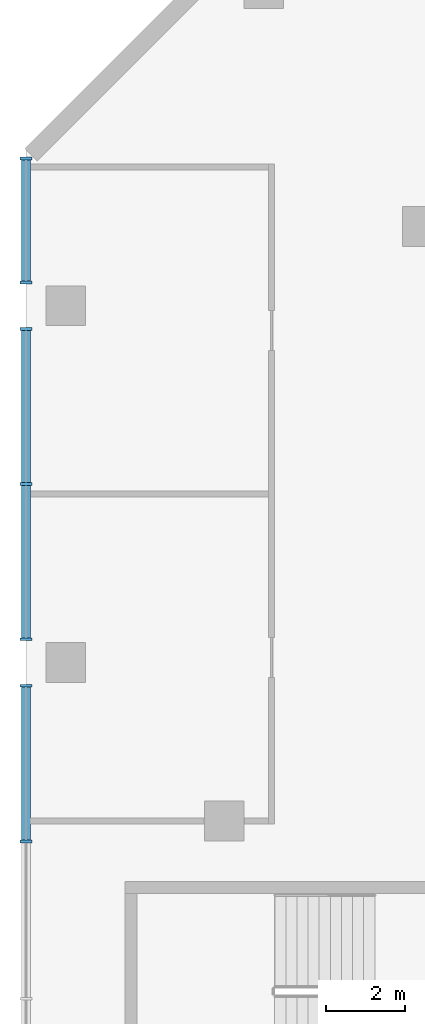
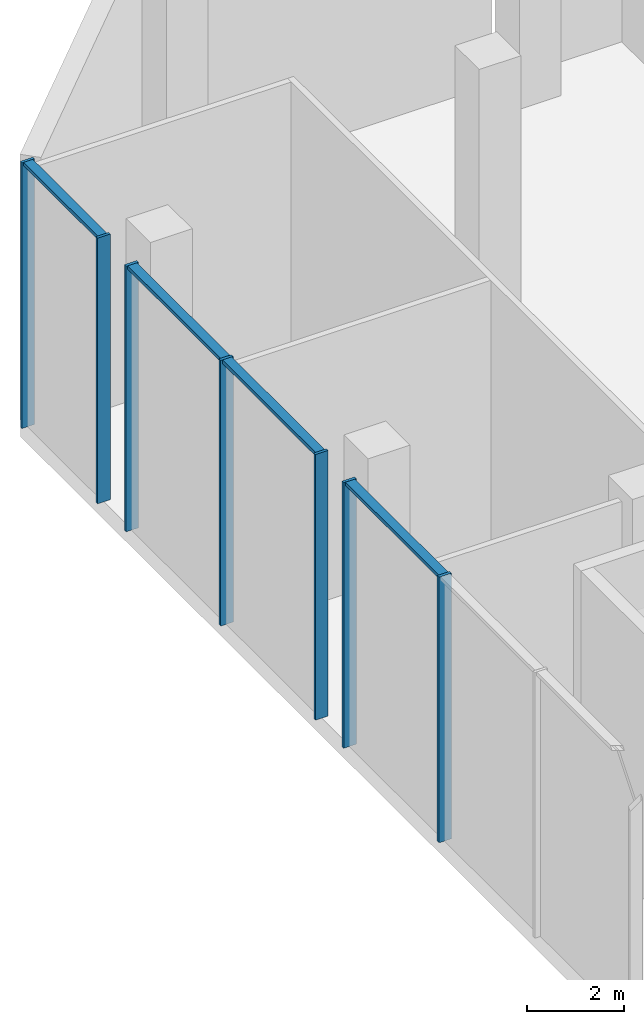
# One storey, part 16 of 41: 11 members, 3 elements without a shape of their own.
"""IFC4 building model written with IfcOpenShell, lengths in metres."""

from ifc_helpers import new_model, si_unit, direction, frame, origin, origin_2d, place, context, subcontext, project, spatial, rectangle, extrude, material, material_profile, profile_set, type_object, element, aggregate, save


model = new_model("IFC4")

# Units and contexts
model_context = context("Model", 3, precision=1e-05, world=origin(), true_north=direction((0.0, 1.0)))
body_context = subcontext(model_context, "Body", "Model", "MODEL_VIEW")
ifc_project = project(units=[si_unit("LENGTHUNIT", "METRE"), si_unit("AREAUNIT", "SQUARE_METRE"), si_unit("VOLUMEUNIT", "CUBIC_METRE"), si_unit("PLANEANGLEUNIT", "RADIAN"), si_unit("MASSUNIT", "GRAM", prefix="KILO")], contexts=[model_context])

# Site, building, storey
site_placement = place(None, origin())
site = spatial("IfcSite", under=ifc_project, at=site_placement, CompositionType="ELEMENT")
building_placement = place(site_placement, origin())
building = spatial("IfcBuilding", under=site, at=building_placement, Name="Wharfspan Tower", CompositionType="ELEMENT")
storey_placement = place(building_placement, frame((0.0, 0.0, 8.0)))
storey = spatial("IfcBuildingStorey", under=building, at=storey_placement, Name="L01", CompositionType="ELEMENT", Elevation=8.0)

# Curtain wall, members
ifc_material = material(Name="Aluminium 6063-T6", Category="aluminium")
curtain_wall_type = type_object("IfcCurtainWallType", Name="CURTAIN WALL ARENA STICK WALL", PredefinedType="NOTDEFINED", material=ifc_material)
curtain_wall_1_placement = place(storey_placement, origin())
curtain_wall_1 = element("IfcCurtainWall", 1, at=curtain_wall_1_placement, inside=storey, type_object=curtain_wall_type, Name="Concourse stick wall PF12.1", PredefinedType="NOTDEFINED")
ifc_material_profile_1 = material_profile(ifc_material, rectangle(XDim=0.300049, YDim=0.070068, at=origin_2d()))
ifc_profile_set_1 = profile_set([ifc_material_profile_1], Name="Aluminium 6063-T6")
member_type_1 = type_object("IfcMemberType", Name="MULLION ARENA STICK WALL 70x300", PredefinedType="MULLION", material=ifc_profile_set_1)
member_1_placement = place(storey_placement, frame((-12.0, 49.715088, 0.0), z_axis=(0.0, 0.0, 1.0), x_axis=(1.0, 0.0, 0.0)))
member_1 = element("IfcMember", 2, at=member_1_placement, type_object=member_type_1, Name="Concourse stick wall PF12.1 mullion 1", PredefinedType="MULLION", context=body_context, shape_type="SweptSolid", body=[
    extrude(rectangle(XDim=0.300049, YDim=0.070068, at=origin_2d()), origin(), (0.0, 0.0, 1.0), 6.699951),
])
member_2_placement = place(storey_placement, frame((-12.0, 46.584961, 0.0), z_axis=(0.0, 0.0, 1.0), x_axis=(1.0, 0.0, 0.0)))
member_2 = element("IfcMember", 3, at=member_2_placement, type_object=member_type_1, Name="Concourse stick wall PF12.1 mullion 2", PredefinedType="MULLION", context=body_context, shape_type="SweptSolid", body=[
    extrude(rectangle(XDim=0.300049, YDim=0.070068, at=origin_2d()), origin(), (0.0, 0.0, 1.0), 6.699951),
])

curtain_wall_2_placement = place(storey_placement, origin())
curtain_wall_2 = element("IfcCurtainWall", 4, at=curtain_wall_2_placement, inside=storey, type_object=curtain_wall_type, Name="Concourse stick wall PF12.2", PredefinedType="NOTDEFINED")
member_3_placement = place(storey_placement, frame((-12.0, 45.415039, 0.0), z_axis=(0.0, 0.0, 1.0), x_axis=(1.0, 0.0, 0.0)))
member_3 = element("IfcMember", 5, at=member_3_placement, type_object=member_type_1, Name="Concourse stick wall PF12.2 mullion 1", PredefinedType="MULLION", context=body_context, shape_type="SweptSolid", body=[
    extrude(rectangle(XDim=0.300049, YDim=0.070068, at=origin_2d()), origin(), (0.0, 0.0, 1.0), 6.699951),
])
member_4_placement = place(storey_placement, frame((-12.0, 41.5, 0.0), z_axis=(0.0, 0.0, 1.0), x_axis=(1.0, 0.0, 0.0)))
member_4 = element("IfcMember", 6, at=member_4_placement, type_object=member_type_1, Name="Concourse stick wall PF12.2 mullion 2", PredefinedType="MULLION", context=body_context, shape_type="SweptSolid", body=[
    extrude(rectangle(XDim=0.300049, YDim=0.070068, at=origin_2d()), origin(), (0.0, 0.0, 1.0), 6.699951),
])
member_5_placement = place(storey_placement, frame((-12.0, 37.584961, 0.0), z_axis=(0.0, 0.0, 1.0), x_axis=(1.0, 0.0, 0.0)))
member_5 = element("IfcMember", 7, at=member_5_placement, type_object=member_type_1, Name="Concourse stick wall PF12.2 mullion 3", PredefinedType="MULLION", context=body_context, shape_type="SweptSolid", body=[
    extrude(rectangle(XDim=0.300049, YDim=0.070068, at=origin_2d()), origin(), (0.0, 0.0, 1.0), 6.699951),
])

curtain_wall_3_placement = place(storey_placement, origin())
curtain_wall_3 = element("IfcCurtainWall", 8, at=curtain_wall_3_placement, inside=storey, type_object=curtain_wall_type, Name="Concourse stick wall PF12.3", PredefinedType="NOTDEFINED")
member_6_placement = place(storey_placement, frame((-12.0, 36.415039, 0.0), z_axis=(0.0, 0.0, 1.0), x_axis=(1.0, 0.0, 0.0)))
member_6 = element("IfcMember", 9, at=member_6_placement, type_object=member_type_1, Name="Concourse stick wall PF12.3 mullion 1", PredefinedType="MULLION", context=body_context, shape_type="SweptSolid", body=[
    extrude(rectangle(XDim=0.300049, YDim=0.070068, at=origin_2d()), origin(), (0.0, 0.0, 1.0), 6.699951),
])
member_7_placement = place(storey_placement, frame((-12.0, 32.483398, 0.0), z_axis=(0.0, 0.0, 1.0), x_axis=(1.0, 0.0, 0.0)))
member_7 = element("IfcMember", 10, at=member_7_placement, type_object=member_type_1, Name="Concourse stick wall PF12.3 mullion 2", PredefinedType="MULLION", context=body_context, shape_type="SweptSolid", body=[
    extrude(rectangle(XDim=0.300049, YDim=0.070068, at=origin_2d()), origin(), (0.0, 0.0, 1.0), 6.699951),
])

# Member
ifc_material_profile_2 = material_profile(ifc_material, rectangle(XDim=0.219971, YDim=0.090088, at=origin_2d()))
ifc_profile_set_2 = profile_set([ifc_material_profile_2], Name="Aluminium 6063-T6")
member_type_2 = type_object("IfcMemberType", Name="TRANSOM ARENA STICK WALL 90x220", PredefinedType="USERDEFINED", material=ifc_profile_set_2)
member_8_placement = place(storey_placement, frame((-12.0, 49.679932, 6.655029), z_axis=(0.0, -1.0, 0.0), x_axis=(1.0, 0.0, 0.0)))
member_8 = element("IfcMember", 11, at=member_8_placement, type_object=member_type_2, Name="Concourse stick wall PF12.1 transom 1", ObjectType="TRANSOM", PredefinedType="USERDEFINED", context=body_context, shape_type="SweptSolid", body=[
    extrude(rectangle(XDim=0.219971, YDim=0.090088, at=origin_2d()), origin(), (0.0, 0.0, 1.0), 3.059814),
])

aggregate(curtain_wall_1, [member_1, member_2, member_8])

member_9_placement = place(storey_placement, frame((-12.0, 45.379883, 6.655029), z_axis=(0.0, -1.0, 0.0), x_axis=(1.0, 0.0, 0.0)))
member_9 = element("IfcMember", 12, at=member_9_placement, type_object=member_type_2, Name="Concourse stick wall PF12.2 transom 1", ObjectType="TRANSOM", PredefinedType="USERDEFINED", context=body_context, shape_type="SweptSolid", body=[
    extrude(rectangle(XDim=0.219971, YDim=0.090088, at=origin_2d()), origin(), (0.0, 0.0, 1.0), 3.844971),
])

member_10_placement = place(storey_placement, frame((-12.0, 41.465088, 6.655029), z_axis=(0.0, -1.0, 0.0), x_axis=(1.0, 0.0, 0.0)))
member_10 = element("IfcMember", 13, at=member_10_placement, type_object=member_type_2, Name="Concourse stick wall PF12.2 transom 2", ObjectType="TRANSOM", PredefinedType="USERDEFINED", context=body_context, shape_type="SweptSolid", body=[
    extrude(rectangle(XDim=0.219971, YDim=0.090088, at=origin_2d()), origin(), (0.0, 0.0, 1.0), 3.844971),
])

aggregate(curtain_wall_2, [member_3, member_4, member_5, member_9, member_10])

member_11_placement = place(storey_placement, frame((-12.0, 36.379883, 6.655029), z_axis=(0.0, -1.0, 0.0), x_axis=(1.0, 0.0, 0.0)))
member_11 = element("IfcMember", 14, at=member_11_placement, type_object=member_type_2, Name="Concourse stick wall PF12.3 transom 1", ObjectType="TRANSOM", PredefinedType="USERDEFINED", context=body_context, shape_type="SweptSolid", body=[
    extrude(rectangle(XDim=0.219971, YDim=0.090088, at=origin_2d()), origin(), (0.0, 0.0, 1.0), 3.861572),
])

aggregate(curtain_wall_3, [member_6, member_7, member_11])

save(model, "model.ifc")
